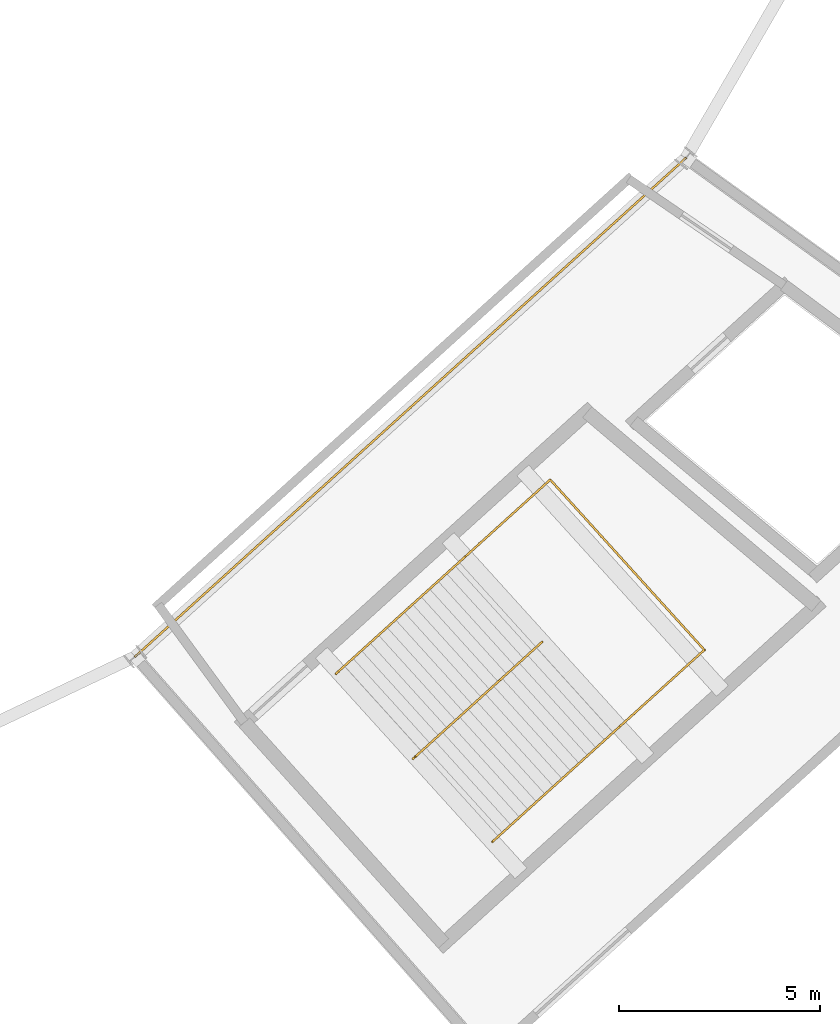
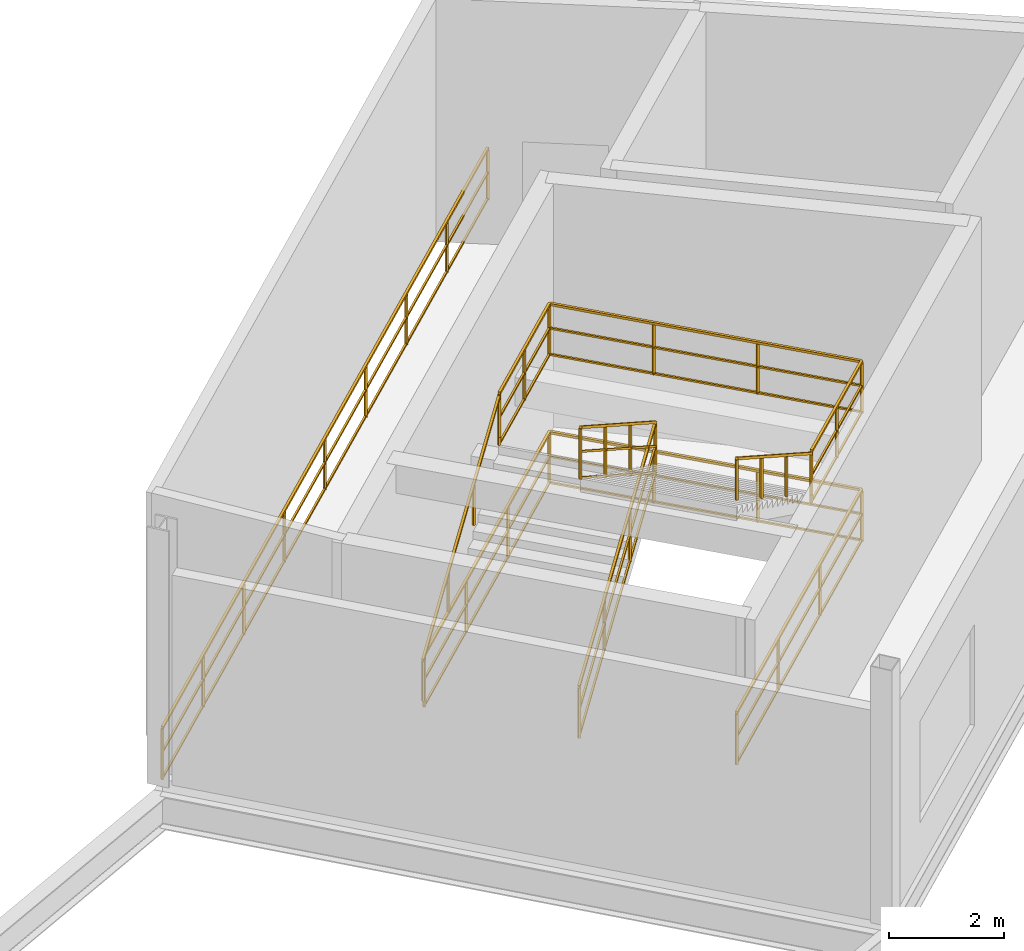
# One storey, part 84 of 86: 6 railings.
"""IFC4 building model written with IfcOpenShell, lengths in metres."""

from ifc_helpers import new_model, si_unit, direction, frame, origin, origin_2d, place, context, subcontext, project, spatial, rectangle, extrude, material, type_object, element, save


model = new_model("IFC4")

# Units and contexts
model_context = context("Model", 3, precision=1e-05, world=origin(), true_north=direction((0.0, 1.0)))
body_context = subcontext(model_context, "Body", "Model", "MODEL_VIEW")
ifc_project = project(units=[si_unit("LENGTHUNIT", "METRE"), si_unit("AREAUNIT", "SQUARE_METRE"), si_unit("VOLUMEUNIT", "CUBIC_METRE"), si_unit("PLANEANGLEUNIT", "RADIAN"), si_unit("MASSUNIT", "GRAM", prefix="KILO")], contexts=[model_context])

# Site, building, storey
site_placement = place(None, origin())
site = spatial("IfcSite", under=ifc_project, at=site_placement, CompositionType="ELEMENT")
building_placement = place(site_placement, origin())
building = spatial("IfcBuilding", under=site, at=building_placement, Name="Kazemori Nagisa Stadium", CompositionType="ELEMENT")
storey_placement = place(building_placement, frame((0.0, 0.0, 31.280029296875)))
storey = spatial("IfcBuildingStorey", under=building, at=storey_placement, Name="L06", CompositionType="ELEMENT", Elevation=31.280029296875)

# Railings
ifc_material_1 = material(Name="Laminated safety glass and stainless steel SUS304", Category="steel")
railing_type_1 = type_object("IfcRailingType", Name="Rail_BAL", PredefinedType="BALUSTRADE", material=ifc_material_1)
railing_1_placement = place(storey_placement, frame((176.834228515625, 40.88916015625, 0.0)))
element("IfcRailing", 1, at=railing_1_placement, inside=storey, type_object=railing_type_1, Name="Upper concourse balustrade L06-B25", PredefinedType="BALUSTRADE", context=body_context, shape_type="SweptSolid", body=[
    extrude(rectangle(XDim=0.050048828125, YDim=0.050048828125, at=origin_2d()), frame((0.0, 0.0, 1.09521484375), z_axis=(0.741349142139, 0.671119549298, 0.0), x_axis=(-0.671119549298, 0.741349142139, 0.0)), (0.0, 0.0, 1.0), 18.44189453125),
    extrude(rectangle(XDim=0.03759765625, YDim=0.03759765625, at=origin_2d()), frame((0.0, 0.0, 0.58251953125), z_axis=(0.741349142139, 0.671119549298, 0.0), x_axis=(-0.671119549298, 0.741349142139, 0.0)), (0.0, 0.0, 1.0), 18.44189453125),
    extrude(rectangle(XDim=0.03759765625, YDim=0.03759765625, at=origin_2d()), frame((0.0, 0.0, 0.02490234375), z_axis=(0.741349142139, 0.671119549298, 0.0), x_axis=(-0.671119549298, 0.741349142139, 0.0)), (0.0, 0.0, 1.0), 18.44189453125),
    extrude(rectangle(XDim=0.044921875, YDim=0.044921875, at=origin_2d()), origin(), (0.0, 0.0, 1.0), 1.070068359375),
    extrude(rectangle(XDim=0.044921875, YDim=0.044921875, at=origin_2d()), frame((1.708984375, 1.547119140625, 0.0)), (0.0, 0.0, 1.0), 1.070068359375),
    extrude(rectangle(XDim=0.044921875, YDim=0.044921875, at=origin_2d()), frame((3.41796875, 3.09423828125, 0.0)), (0.0, 0.0, 1.0), 1.070068359375),
    extrude(rectangle(XDim=0.044921875, YDim=0.044921875, at=origin_2d()), frame((5.126953125, 4.641357421875, 0.0)), (0.0, 0.0, 1.0), 1.070068359375),
    extrude(rectangle(XDim=0.044921875, YDim=0.044921875, at=origin_2d()), frame((6.8359375, 6.1884765625, 0.0)), (0.0, 0.0, 1.0), 1.070068359375),
    extrude(rectangle(XDim=0.044921875, YDim=0.044921875, at=origin_2d()), frame((8.544921875, 7.7353515625, 0.0)), (0.0, 0.0, 1.0), 1.070068359375),
    extrude(rectangle(XDim=0.044921875, YDim=0.044921875, at=origin_2d()), frame((10.25390625, 9.282470703125, 0.0)), (0.0, 0.0, 1.0), 1.070068359375),
    extrude(rectangle(XDim=0.044921875, YDim=0.044921875, at=origin_2d()), frame((11.962890625, 10.82958984375, 0.0)), (0.0, 0.0, 1.0), 1.070068359375),
    extrude(rectangle(XDim=0.044921875, YDim=0.044921875, at=origin_2d()), frame((13.671875, 12.376708984375, 0.0)), (0.0, 0.0, 1.0), 1.070068359375),
])
ifc_material_2 = material(Name="Galvanised powder-coated steel", Category="steel")
railing_type_2 = type_object("IfcRailingType", Name="Rail_GUARD", PredefinedType="GUARDRAIL", material=ifc_material_2)
railing_2_placement = place(storey_placement, frame((181.87890625, 40.5205078125, 0.0)))
element("IfcRailing", 2, at=railing_2_placement, inside=storey, type_object=railing_type_2, Name="Stair well perimeter guard ST04-L06", PredefinedType="GUARDRAIL", context=body_context, shape_type="SweptSolid", body=[
    extrude(rectangle(XDim=0.050048828125, YDim=0.050048828125, at=origin_2d()), frame((0.0, 0.0, 1.09521484375), z_axis=(0.741333574744, 0.671136745349, 0.0), x_axis=(-0.671136745349, 0.741333574744, 0.0)), (0.0, 0.0, 1.0), 7.094970703125),
    extrude(rectangle(XDim=0.03759765625, YDim=0.03759765625, at=origin_2d()), frame((0.0, 0.0, 0.58251953125), z_axis=(0.741333574744, 0.671136745349, 0.0), x_axis=(-0.671136745349, 0.741333574744, 0.0)), (0.0, 0.0, 1.0), 7.094970703125),
    extrude(rectangle(XDim=0.03759765625, YDim=0.03759765625, at=origin_2d()), frame((0.0, 0.0, 0.02490234375), z_axis=(0.741333574744, 0.671136745349, 0.0), x_axis=(-0.671136745349, 0.741333574744, 0.0)), (0.0, 0.0, 1.0), 7.094970703125),
    extrude(rectangle(XDim=0.050048828125, YDim=0.050048828125, at=origin_2d()), frame((5.259765625, 4.76171875, 1.09521484375), z_axis=(0.671112926645, -0.74135513736, 0.0), x_axis=(0.74135513736, 0.671112926645, 0.0)), (0.0, 0.0, 1.0), 5.7001953125),
    extrude(rectangle(XDim=0.03759765625, YDim=0.03759765625, at=origin_2d()), frame((5.259765625, 4.76171875, 0.58251953125), z_axis=(0.671112926645, -0.74135513736, 0.0), x_axis=(0.74135513736, 0.671112926645, 0.0)), (0.0, 0.0, 1.0), 5.7001953125),
    extrude(rectangle(XDim=0.03759765625, YDim=0.03759765625, at=origin_2d()), frame((5.259765625, 4.76171875, 0.02490234375), z_axis=(0.671112926645, -0.74135513736, 0.0), x_axis=(0.74135513736, 0.671112926645, 0.0)), (0.0, 0.0, 1.0), 5.7001953125),
    extrude(rectangle(XDim=0.050048828125, YDim=0.050048828125, at=origin_2d()), frame((9.085205078125, 0.535888671875, 1.09521484375), z_axis=(-0.741366193318, -0.67110071331, 0.0), x_axis=(0.67110071331, -0.741366193318, 0.0)), (0.0, 0.0, 1.0), 7.094970703125),
    extrude(rectangle(XDim=0.03759765625, YDim=0.03759765625, at=origin_2d()), frame((9.085205078125, 0.535888671875, 0.58251953125), z_axis=(-0.741366193318, -0.67110071331, 0.0), x_axis=(0.67110071331, -0.741366193318, 0.0)), (0.0, 0.0, 1.0), 7.094970703125),
    extrude(rectangle(XDim=0.03759765625, YDim=0.03759765625, at=origin_2d()), frame((9.085205078125, 0.535888671875, 0.02490234375), z_axis=(-0.741366193318, -0.67110071331, 0.0), x_axis=(0.67110071331, -0.741366193318, 0.0)), (0.0, 0.0, 1.0), 7.094970703125),
    extrude(rectangle(XDim=0.044921875, YDim=0.044921875, at=origin_2d()), origin(), (0.0, 0.0, 1.0), 1.070068359375),
    extrude(rectangle(XDim=0.044921875, YDim=0.044921875, at=origin_2d()), frame((1.753173828125, 1.587158203125, 0.0)), (0.0, 0.0, 1.0), 1.070068359375),
    extrude(rectangle(XDim=0.044921875, YDim=0.044921875, at=origin_2d()), frame((3.506591796875, 3.174560546875, 0.0)), (0.0, 0.0, 1.0), 1.070068359375),
    extrude(rectangle(XDim=0.044921875, YDim=0.044921875, at=origin_2d()), frame((5.259765625, 4.76171875, 0.0)), (0.0, 0.0, 1.0), 1.070068359375),
    extrude(rectangle(XDim=0.044921875, YDim=0.044921875, at=origin_2d()), frame((6.534912109375, 3.35302734375, 0.0)), (0.0, 0.0, 1.0), 1.070068359375),
    extrude(rectangle(XDim=0.044921875, YDim=0.044921875, at=origin_2d()), frame((7.81005859375, 1.944580078125, 0.0)), (0.0, 0.0, 1.0), 1.070068359375),
    extrude(rectangle(XDim=0.044921875, YDim=0.044921875, at=origin_2d()), frame((9.085205078125, 0.535888671875, 0.0)), (0.0, 0.0, 1.0), 1.070068359375),
    extrude(rectangle(XDim=0.044921875, YDim=0.044921875, at=origin_2d()), frame((7.331787109375, -1.05126953125, 0.0)), (0.0, 0.0, 1.0), 1.070068359375),
    extrude(rectangle(XDim=0.044921875, YDim=0.044921875, at=origin_2d()), frame((5.57861328125, -2.638427734375, 0.0)), (0.0, 0.0, 1.0), 1.070068359375),
    extrude(rectangle(XDim=0.044921875, YDim=0.044921875, at=origin_2d()), frame((3.8251953125, -4.2255859375, 0.0)), (0.0, 0.0, 1.0), 1.070068359375),
])
railing_3_placement = place(storey_placement, frame((183.732177734375, 38.35400390625, 0.0)))
element("IfcRailing", 3, at=railing_3_placement, inside=storey, type_object=railing_type_2, Name="Stair central guard ST04-L06", PredefinedType="GUARDRAIL", context=body_context, shape_type="SweptSolid", body=[
    extrude(rectangle(XDim=0.050048828125, YDim=0.050048828125, at=origin_2d()), frame((0.0, 0.0, 1.09521484375), z_axis=(0.627557777508, 0.568113486393, 0.532370456043), x_axis=(-0.67112318634, 0.741345849626, 0.0)), (0.0, 0.0, 1.0), 5.109130859375),
    extrude(rectangle(XDim=0.03759765625, YDim=0.03759765625, at=origin_2d()), frame((0.0, 0.0, 0.58251953125), z_axis=(0.627557777508, 0.568113486393, 0.532370456043), x_axis=(-0.67112318634, 0.741345849626, 0.0)), (0.0, 0.0, 1.0), 5.109130859375),
    extrude(rectangle(XDim=0.03759765625, YDim=0.03759765625, at=origin_2d()), frame((0.0, 0.0, 0.02490234375), z_axis=(0.627557777508, 0.568113486393, 0.532370456043), x_axis=(-0.67112318634, 0.741345849626, 0.0)), (0.0, 0.0, 1.0), 5.109130859375),
    extrude(rectangle(XDim=0.050048828125, YDim=0.050048828125, at=origin_2d()), frame((3.206298828125, 2.902587890625, 3.81494140625), z_axis=(-0.624200602078, -0.565073454279, 0.539504957933), x_axis=(0.671122625547, -0.741346357298, 0.0)), (0.0, 0.0, 1.0), 5.04150390625),
    extrude(rectangle(XDim=0.03759765625, YDim=0.03759765625, at=origin_2d()), frame((3.206298828125, 2.902587890625, 3.302490234375), z_axis=(-0.624200602078, -0.565073454279, 0.539504957933), x_axis=(0.671122625547, -0.741346357298, 0.0)), (0.0, 0.0, 1.0), 5.04150390625),
    extrude(rectangle(XDim=0.03759765625, YDim=0.03759765625, at=origin_2d()), frame((3.206298828125, 2.902587890625, 2.7451171875), z_axis=(-0.624200602078, -0.565073454279, 0.539504957933), x_axis=(0.671122625547, -0.741346357298, 0.0)), (0.0, 0.0, 1.0), 5.04150390625),
    extrude(rectangle(XDim=0.044921875, YDim=0.044921875, at=origin_2d()), origin(), (0.0, 0.0, 1.0), 1.070068359375),
    extrude(rectangle(XDim=0.044921875, YDim=0.044921875, at=origin_2d()), frame((1.06884765625, 0.967529296875, 0.90673828125)), (0.0, 0.0, 1.0), 1.070068359375),
    extrude(rectangle(XDim=0.044921875, YDim=0.044921875, at=origin_2d()), frame((2.137451171875, 1.93505859375, 1.813232421875)), (0.0, 0.0, 1.0), 1.070068359375),
    extrude(rectangle(XDim=0.044921875, YDim=0.044921875, at=origin_2d()), frame((3.206298828125, 2.902587890625, 2.719970703125)), (0.0, 0.0, 1.0), 1.070068359375),
    extrude(rectangle(XDim=0.044921875, YDim=0.044921875, at=origin_2d()), frame((2.1572265625, 1.952880859375, 3.626708984375)), (0.0, 0.0, 1.0), 1.070068359375),
    extrude(rectangle(XDim=0.044921875, YDim=0.044921875, at=origin_2d()), frame((1.1083984375, 1.00341796875, 4.533203125)), (0.0, 0.0, 1.0), 1.070068359375),
    extrude(rectangle(XDim=0.044921875, YDim=0.044921875, at=origin_2d()), frame((0.059326171875, 0.0537109375, 5.43994140625)), (0.0, 0.0, 1.0), 1.070068359375),
])
railing_4_placement = place(storey_placement, frame((185.02587890625, 43.369384765625, 2.719970703125)))
element("IfcRailing", 4, at=railing_4_placement, inside=storey, type_object=railing_type_2, Name="Stair landing guard ST04-L06", PredefinedType="GUARDRAIL", context=body_context, shape_type="SweptSolid", body=[
    extrude(rectangle(XDim=0.050048828125, YDim=0.050048828125, at=origin_2d()), frame((0.0, 0.0, 1.09521484375), z_axis=(0.741314535645, 0.671157775223, 0.0), x_axis=(-0.671157775223, 0.741314535645, 0.0)), (0.0, 0.0, 1.0), 2.85009765625),
    extrude(rectangle(XDim=0.03759765625, YDim=0.03759765625, at=origin_2d()), frame((0.0, 0.0, 0.58251953125), z_axis=(0.741314535645, 0.671157775223, 0.0), x_axis=(-0.671157775223, 0.741314535645, 0.0)), (0.0, 0.0, 1.0), 2.85009765625),
    extrude(rectangle(XDim=0.03759765625, YDim=0.03759765625, at=origin_2d()), frame((0.0, 0.0, 0.02490234375), z_axis=(0.741314535645, 0.671157775223, 0.0), x_axis=(-0.671157775223, 0.741314535645, 0.0)), (0.0, 0.0, 1.0), 2.85009765625),
    extrude(rectangle(XDim=0.050048828125, YDim=0.050048828125, at=origin_2d()), frame((2.11279296875, 1.912841796875, 1.09521484375), z_axis=(0.671112926645, -0.74135513736, 0.0), x_axis=(0.74135513736, 0.671112926645, 0.0)), (0.0, 0.0, 1.0), 5.7001953125),
    extrude(rectangle(XDim=0.03759765625, YDim=0.03759765625, at=origin_2d()), frame((2.11279296875, 1.912841796875, 0.58251953125), z_axis=(0.671112926645, -0.74135513736, 0.0), x_axis=(0.74135513736, 0.671112926645, 0.0)), (0.0, 0.0, 1.0), 5.7001953125),
    extrude(rectangle(XDim=0.03759765625, YDim=0.03759765625, at=origin_2d()), frame((2.11279296875, 1.912841796875, 0.02490234375), z_axis=(0.671112926645, -0.74135513736, 0.0), x_axis=(0.74135513736, 0.671112926645, 0.0)), (0.0, 0.0, 1.0), 5.7001953125),
    extrude(rectangle(XDim=0.050048828125, YDim=0.050048828125, at=origin_2d()), frame((5.938232421875, -2.31298828125, 1.09521484375), z_axis=(-0.741357156534, -0.671110696127, 0.0), x_axis=(0.671110696127, -0.741357156534, 0.0)), (0.0, 0.0, 1.0), 2.849853515625),
    extrude(rectangle(XDim=0.03759765625, YDim=0.03759765625, at=origin_2d()), frame((5.938232421875, -2.31298828125, 0.58251953125), z_axis=(-0.741357156534, -0.671110696127, 0.0), x_axis=(0.671110696127, -0.741357156534, 0.0)), (0.0, 0.0, 1.0), 2.849853515625),
    extrude(rectangle(XDim=0.03759765625, YDim=0.03759765625, at=origin_2d()), frame((5.938232421875, -2.31298828125, 0.02490234375), z_axis=(-0.741357156534, -0.671110696127, 0.0), x_axis=(0.671110696127, -0.741357156534, 0.0)), (0.0, 0.0, 1.0), 2.849853515625),
    extrude(rectangle(XDim=0.044921875, YDim=0.044921875, at=origin_2d()), origin(), (0.0, 0.0, 1.0), 1.070068359375),
    extrude(rectangle(XDim=0.044921875, YDim=0.044921875, at=origin_2d()), frame((1.056396484375, 0.95654296875, 0.0)), (0.0, 0.0, 1.0), 1.070068359375),
    extrude(rectangle(XDim=0.044921875, YDim=0.044921875, at=origin_2d()), frame((2.11279296875, 1.912841796875, 0.0)), (0.0, 0.0, 1.0), 1.070068359375),
    extrude(rectangle(XDim=0.044921875, YDim=0.044921875, at=origin_2d()), frame((3.387939453125, 0.504150390625, 0.0)), (0.0, 0.0, 1.0), 1.070068359375),
    extrude(rectangle(XDim=0.044921875, YDim=0.044921875, at=origin_2d()), frame((4.6630859375, -0.904296875, 0.0)), (0.0, 0.0, 1.0), 1.070068359375),
    extrude(rectangle(XDim=0.044921875, YDim=0.044921875, at=origin_2d()), frame((5.938232421875, -2.31298828125, 0.0)), (0.0, 0.0, 1.0), 1.070068359375),
    extrude(rectangle(XDim=0.044921875, YDim=0.044921875, at=origin_2d()), frame((4.8818359375, -3.269287109375, 0.0)), (0.0, 0.0, 1.0), 1.070068359375),
    extrude(rectangle(XDim=0.044921875, YDim=0.044921875, at=origin_2d()), frame((3.825439453125, -4.2255859375, 0.0)), (0.0, 0.0, 1.0), 1.070068359375),
])
ifc_material_3 = material(Name="Stainless steel SUS304", Category="steel")
railing_type_3 = type_object("IfcRailingType", Name="Rail_HAND", PredefinedType="HANDRAIL", material=ifc_material_3)
railing_5_placement = place(storey_placement, frame((181.819580078125, 40.466796875, 0.169921875)))
element("IfcRailing", 5, at=railing_5_placement, inside=storey, type_object=railing_type_3, Name="Stair handrail ST04-L06-F1", PredefinedType="HANDRAIL", context=body_context, shape_type="SweptSolid", body=[
    extrude(rectangle(XDim=0.050048828125, YDim=0.050048828125, at=origin_2d()), frame((0.0, 0.0, 0.875), z_axis=(0.627557777508, 0.568113486393, 0.532370456043), x_axis=(-0.67112318634, 0.741345849626, 0.0)), (0.0, 0.0, 1.0), 5.109130859375),
    extrude(rectangle(XDim=0.044921875, YDim=0.044921875, at=origin_2d()), origin(), (0.0, 0.0, 1.0), 0.849853515625),
    extrude(rectangle(XDim=0.044921875, YDim=0.044921875, at=origin_2d()), frame((1.06884765625, 0.967529296875, 0.90673828125)), (0.0, 0.0, 1.0), 0.849853515625),
    extrude(rectangle(XDim=0.044921875, YDim=0.044921875, at=origin_2d()), frame((2.137451171875, 1.93505859375, 1.813232421875)), (0.0, 0.0, 1.0), 0.849853515625),
    extrude(rectangle(XDim=0.044921875, YDim=0.044921875, at=origin_2d()), frame((3.206298828125, 2.902587890625, 2.719970703125)), (0.0, 0.0, 1.0), 0.849853515625),
])
railing_6_placement = place(storey_placement, frame((188.851318359375, 39.143798828125, 2.889892578125)))
element("IfcRailing", 6, at=railing_6_placement, inside=storey, type_object=railing_type_3, Name="Stair handrail ST04-L06-F2", PredefinedType="HANDRAIL", context=body_context, shape_type="SweptSolid", body=[
    extrude(rectangle(XDim=0.050048828125, YDim=0.050048828125, at=origin_2d()), frame((0.0, 0.0, 0.875), z_axis=(-0.624230158192, -0.5650563739, 0.539488650408), x_axis=(0.67109401143, -0.741372259949, 0.0)), (0.0, 0.0, 1.0), 5.041748046875),
    extrude(rectangle(XDim=0.044921875, YDim=0.044921875, at=origin_2d()), origin(), (0.0, 0.0, 1.0), 0.849853515625),
    extrude(rectangle(XDim=0.044921875, YDim=0.044921875, at=origin_2d()), frame((-1.049072265625, -0.94970703125, 0.90673828125)), (0.0, 0.0, 1.0), 0.849853515625),
    extrude(rectangle(XDim=0.044921875, YDim=0.044921875, at=origin_2d()), frame((-2.09814453125, -1.899169921875, 1.813232421875)), (0.0, 0.0, 1.0), 0.849853515625),
    extrude(rectangle(XDim=0.044921875, YDim=0.044921875, at=origin_2d()), frame((-3.147216796875, -2.848876953125, 2.719970703125)), (0.0, 0.0, 1.0), 0.849853515625),
])

save(model, "model.ifc")
